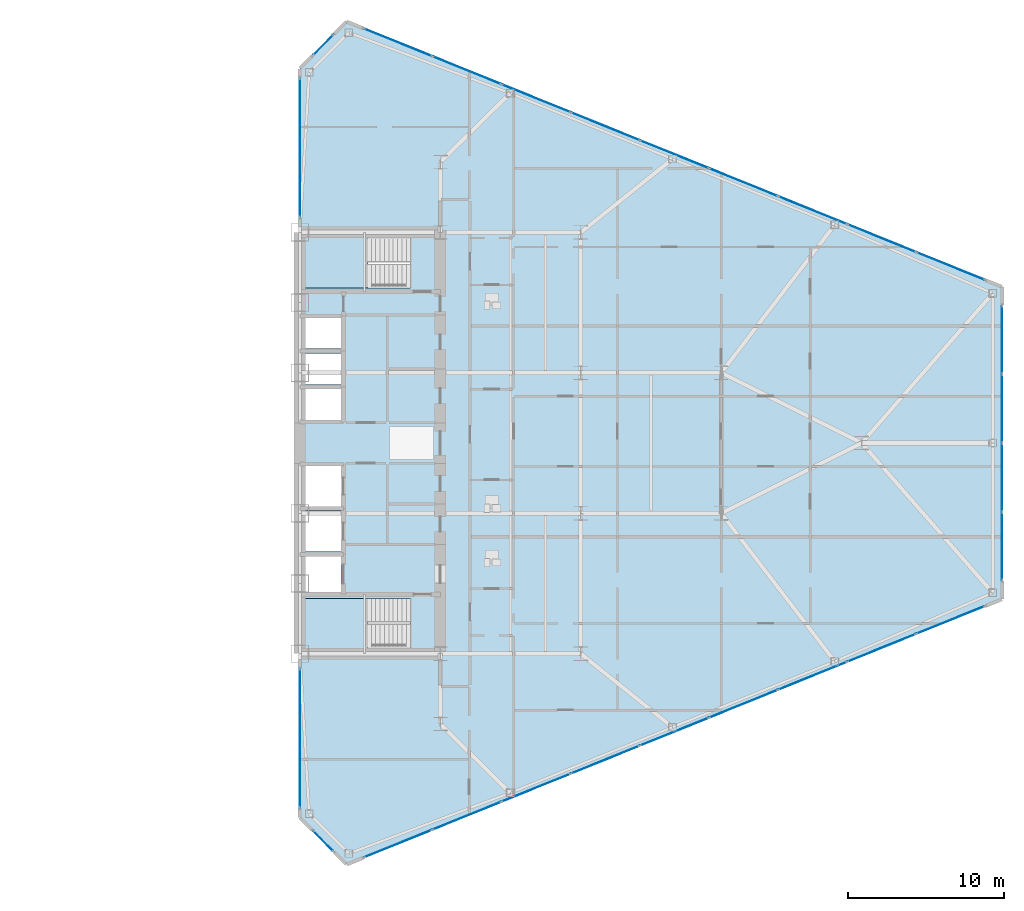
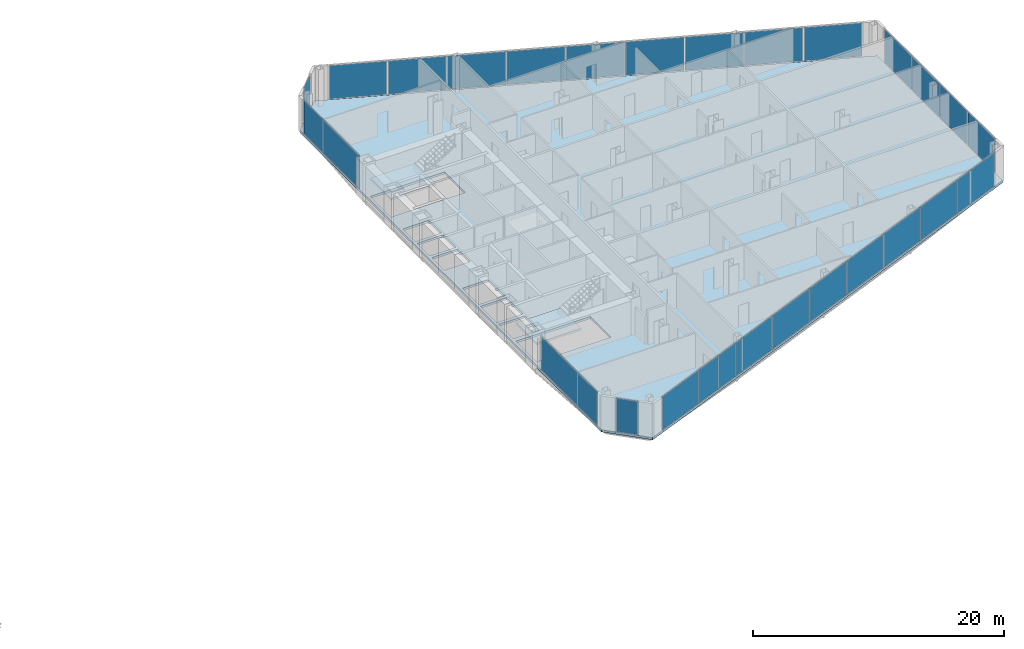
# One storey, part 16 of 25: 26 plates, 3 slabs, 9 elements without a shape of their own.
"""IFC4 building model written with IfcOpenShell, lengths in metres."""

from ifc_helpers import new_model, si_unit, direction, frame, origin, origin_2d, place, context, subcontext, project, spatial, polyline, rectangle, outline, extrude, source, transform, mapped, material, layer, layer_set, type_object, type_shapes, element, aggregate, save


model = new_model("IFC4")

# Units and contexts
model_context = context("Model", 3, precision=1e-05, world=origin(), true_north=direction((0.0, 1.0)))
body_context = subcontext(model_context, "Body", "Model", "MODEL_VIEW")
ifc_project = project(units=[si_unit("LENGTHUNIT", "METRE"), si_unit("AREAUNIT", "SQUARE_METRE"), si_unit("VOLUMEUNIT", "CUBIC_METRE"), si_unit("PLANEANGLEUNIT", "RADIAN"), si_unit("MASSUNIT", "GRAM", prefix="KILO")], contexts=[model_context])

# Site, building, storey
site_placement = place(None, origin())
site = spatial("IfcSite", under=ifc_project, at=site_placement, CompositionType="ELEMENT")
building_placement = place(site_placement, origin())
building = spatial("IfcBuilding", under=site, at=building_placement, Name="Seokmaru Belvedere", CompositionType="ELEMENT")
storey_placement = place(building_placement, frame((0.0, 0.0, 26.10009765625)))
storey = spatial("IfcBuildingStorey", under=building, at=storey_placement, Name="L06", CompositionType="ELEMENT", Elevation=26.10009765625)

# Stair, slab
ifc_material_1 = material(Name="Concrete C40 (40 MPa)", Category="concrete")
stair_type = type_object("IfcStairType", Name="Typical Tower Core Dog-Leg Stair 3600", PredefinedType="TWO_STRAIGHT_RUN_STAIR", material=ifc_material_1)
stair_1_placement = place(storey_placement, origin())
stair_1 = element("IfcStair", 1, at=stair_1_placement, inside=storey, type_object=stair_type, Name="L06 Special Escape Stair ST-E1", PredefinedType="TWO_STRAIGHT_RUN_STAIR")
ifc_layer_1 = layer(ifc_material_1, 0.199951171875)
ifc_layer_set_1 = layer_set([ifc_layer_1], Name="Concrete C40 (40 MPa)")
slab_type_1 = type_object("IfcSlabType", Name="Reinforced Concrete Stair Landing Slab 200", PredefinedType="LANDING", material=ifc_layer_set_1)
slab_1_placement = place(storey_placement, frame((0.0, 0.0, 1.599853515625)))
slab_1 = element("IfcSlab", 2, at=slab_1_placement, type_object=slab_type_1, Name="ST-E1 landing 1", PredefinedType="LANDING", context=body_context, shape_type="SweptSolid", body=[
    extrude(outline(polyline([(27.760009765625, -13.239990234375), (31.8798828125, -13.239990234375), (31.8798828125, -9.949951171875), (27.760009765625, -9.949951171875), (27.760009765625, -13.239990234375)])), origin(), (0.0, 0.0, 1.0), 0.199951171875),
])
aggregate(stair_1, [slab_1])

stair_2_placement = place(storey_placement, origin())
stair_2 = element("IfcStair", 3, at=stair_2_placement, inside=storey, type_object=stair_type, Name="L06 Special Escape Stair ST-E2", PredefinedType="TWO_STRAIGHT_RUN_STAIR")
slab_2_placement = place(storey_placement, frame((0.0, 0.0, 1.599853515625)))
slab_2 = element("IfcSlab", 4, at=slab_2_placement, type_object=slab_type_1, Name="ST-E2 landing 1", PredefinedType="LANDING", context=body_context, shape_type="SweptSolid", body=[
    extrude(outline(polyline([(27.760009765625, 9.949951171875), (31.8798828125, 9.949951171875), (31.8798828125, 13.239990234375), (27.760009765625, 13.239990234375), (27.760009765625, 9.949951171875)])), origin(), (0.0, 0.0, 1.0), 0.199951171875),
])
aggregate(stair_2, [slab_2])

# Slab
ifc_layer_2 = layer(ifc_material_1, 0.219970703125)
ifc_layer_set_2 = layer_set([ifc_layer_2], Name="Concrete C40 (40 MPa)")
slab_type_2 = type_object("IfcSlabType", Name="Typical Tower Composite Floor Slab 220", PredefinedType="FLOOR", material=ifc_layer_set_2)
slab_3_placement = place(storey_placement, frame((0.0, 0.0, -0.22021484375)))
element("IfcSlab", 5, at=slab_3_placement, inside=storey, type_object=slab_type_2, Name="L06 East Leg Floor Slab", PredefinedType="FLOOR", context=body_context, shape_type="SweptSolid", body=[
    extrude(outline(polyline([(30.5, -27.0), (72.5, -10.0), (72.5, 10.0), (30.5, 27.0), (27.5, 24.0), (27.5, -24.0), (30.5, -27.0)]), holes=[polyline([(27.75, -13.25), (34.60009765625, -13.25), (34.60009765625, -9.949951171875), (27.75, -9.949951171875), (27.75, -13.25)]), polyline([(27.75, 9.949951171875), (34.60009765625, 9.949951171875), (34.60009765625, 13.25), (27.75, 13.25), (27.75, 9.949951171875)]), polyline([(27.75, -9.550048828125), (30.14990234375, -9.550048828125), (30.14990234375, -7.25), (27.75, -7.25), (27.75, -9.550048828125)]), polyline([(27.75, -6.949951171875), (30.14990234375, -6.949951171875), (30.14990234375, -4.35009765625), (27.75, -4.35009765625), (27.75, -6.949951171875)]), polyline([(27.75, -4.050048828125), (30.14990234375, -4.050048828125), (30.14990234375, -1.449951171875), (27.75, -1.449951171875), (27.75, -4.050048828125)]), polyline([(27.75, 1.449951171875), (30.14990234375, 1.449951171875), (30.14990234375, 3.449951171875), (27.75, 3.449951171875), (27.75, 1.449951171875)]), polyline([(27.75, 3.75), (30.14990234375, 3.75), (30.14990234375, 5.75), (27.75, 5.75), (27.75, 3.75)]), polyline([(27.75, 6.050048828125), (30.14990234375, 6.050048828125), (30.14990234375, 8.050048828125), (27.75, 8.050048828125), (27.75, 6.050048828125)])]), origin(), (0.0, 0.0, 1.0), 0.22021484375),
])

# Curtain wall, plate
ifc_material_2 = material(Name="Bronze Triple Insulating Glass", Category="glass")
ifc_layer_3 = layer(ifc_material_2, 0.2099609375)
ifc_layer_set_3 = layer_set([ifc_layer_3], Name="Bronze Triple Insulating Glass")
curtain_wall_type = type_object("IfcCurtainWallType", Name="Low-Rise Faceted Crystal Curtain Wall System CW-2", PredefinedType="NOTDEFINED", material=ifc_layer_set_3)
curtain_wall_1_placement = place(storey_placement, origin())
curtain_wall_1 = element("IfcCurtainWall", 6, at=curtain_wall_1_placement, inside=storey, type_object=curtain_wall_type, Name="L06 Curtain Wall ESP_1", PredefinedType="NOTDEFINED")
ifc_layer_4 = layer(ifc_material_2, 0.035888671875)
ifc_layer_set_4 = layer_set([ifc_layer_4], Name="Bronze Triple Insulating Glass")
plate_type = type_object("IfcPlateType", Name="Bronze Triple Vision Glazing Panel 36", PredefinedType="CURTAIN_PANEL", material=ifc_layer_set_4)
shared_shape_1 = source(origin(), body_context, "Body", "SweptSolid", [
    extrude(rectangle(XDim=8.85009765625, YDim=0.035888671875, at=origin_2d()), origin(), (0.0, 0.0, 1.0), 3.239990234375),
])
plate_1_placement = place(storey_placement, frame((27.5, -18.929931640625, 0.06982421875), z_axis=(0.0, 0.0, 1.0), x_axis=(0.0, -1.0, 0.0)))
plate_1 = element("IfcPlate", 7, at=plate_1_placement, type_object=plate_type, Name="CW:L06:ESP_1 Glazing Panel 1-1", PredefinedType="CURTAIN_PANEL", context=body_context, shape_type="MappedRepresentation", body=[
    mapped(shared_shape_1, transform((0.0, 0.0, 0.0), scale=1.0)),
])
aggregate(curtain_wall_1, [plate_1])

curtain_wall_2_placement = place(storey_placement, origin())
curtain_wall_2 = element("IfcCurtainWall", 8, at=curtain_wall_2_placement, inside=storey, type_object=curtain_wall_type, Name="L06 Curtain Wall ESP_2", PredefinedType="NOTDEFINED")
plate_2_placement = place(storey_placement, frame((27.5, 18.929931640625, 0.06982421875), z_axis=(0.0, 0.0, 1.0), x_axis=(0.0, -1.0, 0.0)))
plate_2 = element("IfcPlate", 9, at=plate_2_placement, type_object=plate_type, Name="CW:L06:ESP_2 Glazing Panel 1-1", PredefinedType="CURTAIN_PANEL", context=body_context, shape_type="MappedRepresentation", body=[
    mapped(shared_shape_1, transform((0.0, 0.0, 0.0), scale=1.0)),
])
aggregate(curtain_wall_2, [plate_2])

curtain_wall_3_placement = place(storey_placement, origin())
curtain_wall_3 = element("IfcCurtainWall", 10, at=curtain_wall_3_placement, inside=storey, type_object=curtain_wall_type, Name="L06 Curtain Wall EF4", PredefinedType="NOTDEFINED")
shared_shape_2 = source(origin(), body_context, "Body", "SweptSolid", [
    extrude(rectangle(XDim=1.79248046875, YDim=0.035888671875, at=origin_2d()), origin(), (0.0, 0.0, 1.0), 3.239990234375),
])
plate_3_placement = place(storey_placement, frame((29.0, 25.5, 0.06982421875), z_axis=(0.0, 0.0, 1.0), x_axis=(-0.707106781187, -0.707106781187, 0.0)))
plate_3 = element("IfcPlate", 11, at=plate_3_placement, type_object=plate_type, Name="CW:L06:EF4 Glazing Panel 1-1", PredefinedType="CURTAIN_PANEL", context=body_context, shape_type="MappedRepresentation", body=[
    mapped(shared_shape_2, transform((0.0, 0.0, 0.0), scale=1.0)),
])
aggregate(curtain_wall_3, [plate_3])

curtain_wall_4_placement = place(storey_placement, origin())
curtain_wall_4 = element("IfcCurtainWall", 12, at=curtain_wall_4_placement, inside=storey, type_object=curtain_wall_type, Name="L06 Curtain Wall EF6", PredefinedType="NOTDEFINED")
plate_4_placement = place(storey_placement, frame((29.0, -25.5, 0.06982421875), z_axis=(0.0, 0.0, 1.0), x_axis=(0.707106781187, -0.707106781187, 0.0)))
plate_4 = element("IfcPlate", 13, at=plate_4_placement, type_object=plate_type, Name="CW:L06:EF6 Glazing Panel 1-1", PredefinedType="CURTAIN_PANEL", context=body_context, shape_type="MappedRepresentation", body=[
    mapped(shared_shape_2, transform((0.0, 0.0, 0.0), scale=1.0)),
])
aggregate(curtain_wall_4, [plate_4])

# Curtain wall, plates
curtain_wall_5_placement = place(storey_placement, origin())
curtain_wall_5 = element("IfcCurtainWall", 14, at=curtain_wall_5_placement, inside=storey, type_object=curtain_wall_type, Name="L06 Curtain Wall EF1", PredefinedType="NOTDEFINED")
shared_shape_3 = source(origin(), body_context, "Body", "SweptSolid", [
    extrude(rectangle(XDim=4.66650390625, YDim=0.035888671875, at=origin_2d()), origin(), (0.0, 0.0, 1.0), 3.239990234375),
])
plate_5_placement = place(storey_placement, frame((33.79833984375, -25.6650390625, 0.06982421875), z_axis=(0.0, 0.0, 1.0), x_axis=(0.926946989637, 0.375192321888, 0.0)))
plate_5 = element("IfcPlate", 15, at=plate_5_placement, type_object=plate_type, Name="CW:L06:EF1 Glazing Panel 1-1", PredefinedType="CURTAIN_PANEL", context=body_context, shape_type="MappedRepresentation", body=[
    mapped(shared_shape_3, transform((0.0, 0.0, 0.0), scale=1.0)),
])
plate_6_placement = place(storey_placement, frame((69.20166015625, -11.3349609375, 0.06982421875), z_axis=(0.0, 0.0, 1.0), x_axis=(0.926946989637, 0.375192321888, 0.0)))
plate_6 = element("IfcPlate", 16, at=plate_6_placement, type_object=plate_type, Name="CW:L06:EF1 Glazing Panel 9-1", PredefinedType="CURTAIN_PANEL", context=body_context, shape_type="MappedRepresentation", body=[
    mapped(shared_shape_3, transform((0.0, 0.0, 0.0), scale=1.0)),
])

curtain_wall_6_placement = place(storey_placement, origin())
curtain_wall_6 = element("IfcCurtainWall", 17, at=curtain_wall_6_placement, inside=storey, type_object=curtain_wall_type, Name="L06 Curtain Wall EF3", PredefinedType="NOTDEFINED")
plate_7_placement = place(storey_placement, frame((69.20166015625, 11.3349609375, 0.06982421875), z_axis=(0.0, 0.0, 1.0), x_axis=(-0.926946989637, 0.375192321888, 0.0)))
plate_7 = element("IfcPlate", 18, at=plate_7_placement, type_object=plate_type, Name="CW:L06:EF3 Glazing Panel 1-1", PredefinedType="CURTAIN_PANEL", context=body_context, shape_type="MappedRepresentation", body=[
    mapped(shared_shape_3, transform((0.0, 0.0, 0.0), scale=1.0)),
])
plate_8_placement = place(storey_placement, frame((33.79833984375, 25.6650390625, 0.06982421875), z_axis=(0.0, 0.0, 1.0), x_axis=(-0.926946989637, 0.375192321888, 0.0)))
plate_8 = element("IfcPlate", 19, at=plate_8_placement, type_object=plate_type, Name="CW:L06:EF3 Glazing Panel 9-1", PredefinedType="CURTAIN_PANEL", context=body_context, shape_type="MappedRepresentation", body=[
    mapped(shared_shape_3, transform((0.0, 0.0, 0.0), scale=1.0)),
])

# Plate
shared_shape_4 = source(origin(), body_context, "Body", "SweptSolid", [
    extrude(rectangle(XDim=4.703857421875, YDim=0.035888671875, at=origin_2d()), origin(), (0.0, 0.0, 1.0), 3.239990234375),
])
plate_9_placement = place(storey_placement, frame((38.210693359375, -23.87890625, 0.06982421875), z_axis=(0.0, 0.0, 1.0), x_axis=(0.926946989637, 0.375192321888, 0.0)))
plate_9 = element("IfcPlate", 20, at=plate_9_placement, type_object=plate_type, Name="CW:L06:EF1 Glazing Panel 2-1", PredefinedType="CURTAIN_PANEL", context=body_context, shape_type="MappedRepresentation", body=[
    mapped(shared_shape_4, transform((0.0, 0.0, 0.0), scale=1.0)),
])

plate_10_placement = place(storey_placement, frame((42.640380859375, -22.0859375, 0.06982421875), z_axis=(0.0, 0.0, 1.0), x_axis=(0.926946989637, 0.375192321888, 0.0)))
plate_10 = element("IfcPlate", 21, at=plate_10_placement, type_object=plate_type, Name="CW:L06:EF1 Glazing Panel 3-1", PredefinedType="CURTAIN_PANEL", context=body_context, shape_type="MappedRepresentation", body=[
    mapped(shared_shape_4, transform((0.0, 0.0, 0.0), scale=1.0)),
])

plate_11_placement = place(storey_placement, frame((47.0703125, -20.29296875, 0.06982421875), z_axis=(0.0, 0.0, 1.0), x_axis=(0.926946989637, 0.375192321888, 0.0)))
plate_11 = element("IfcPlate", 22, at=plate_11_placement, type_object=plate_type, Name="CW:L06:EF1 Glazing Panel 4-1", PredefinedType="CURTAIN_PANEL", context=body_context, shape_type="MappedRepresentation", body=[
    mapped(shared_shape_4, transform((0.0, 0.0, 0.0), scale=1.0)),
])

plate_12_placement = place(storey_placement, frame((51.5, -18.5, 0.06982421875), z_axis=(0.0, 0.0, 1.0), x_axis=(0.926946989637, 0.375192321888, 0.0)))
plate_12 = element("IfcPlate", 23, at=plate_12_placement, type_object=plate_type, Name="CW:L06:EF1 Glazing Panel 5-1", PredefinedType="CURTAIN_PANEL", context=body_context, shape_type="MappedRepresentation", body=[
    mapped(shared_shape_4, transform((0.0, 0.0, 0.0), scale=1.0)),
])

plate_13_placement = place(storey_placement, frame((55.9296875, -16.70703125, 0.06982421875), z_axis=(0.0, 0.0, 1.0), x_axis=(0.926946989637, 0.375192321888, 0.0)))
plate_13 = element("IfcPlate", 24, at=plate_13_placement, type_object=plate_type, Name="CW:L06:EF1 Glazing Panel 6-1", PredefinedType="CURTAIN_PANEL", context=body_context, shape_type="MappedRepresentation", body=[
    mapped(shared_shape_4, transform((0.0, 0.0, 0.0), scale=1.0)),
])

plate_14_placement = place(storey_placement, frame((60.359619140625, -14.9140625, 0.06982421875), z_axis=(0.0, 0.0, 1.0), x_axis=(0.926946989637, 0.375192321888, 0.0)))
plate_14 = element("IfcPlate", 25, at=plate_14_placement, type_object=plate_type, Name="CW:L06:EF1 Glazing Panel 7-1", PredefinedType="CURTAIN_PANEL", context=body_context, shape_type="MappedRepresentation", body=[
    mapped(shared_shape_4, transform((0.0, 0.0, 0.0), scale=1.0)),
])

plate_15_placement = place(storey_placement, frame((64.789306640625, -13.12109375, 0.06982421875), z_axis=(0.0, 0.0, 1.0), x_axis=(0.926946989637, 0.375192321888, 0.0)))
plate_15 = element("IfcPlate", 26, at=plate_15_placement, type_object=plate_type, Name="CW:L06:EF1 Glazing Panel 8-1", PredefinedType="CURTAIN_PANEL", context=body_context, shape_type="MappedRepresentation", body=[
    mapped(shared_shape_4, transform((0.0, 0.0, 0.0), scale=1.0)),
])

aggregate(curtain_wall_5, [plate_5, plate_9, plate_10, plate_11, plate_12, plate_13, plate_14, plate_15, plate_6])

plate_16_placement = place(storey_placement, frame((64.789306640625, 13.12109375, 0.06982421875), z_axis=(0.0, 0.0, 1.0), x_axis=(-0.926946989637, 0.375192321888, 0.0)))
plate_16 = element("IfcPlate", 27, at=plate_16_placement, type_object=plate_type, Name="CW:L06:EF3 Glazing Panel 2-1", PredefinedType="CURTAIN_PANEL", context=body_context, shape_type="MappedRepresentation", body=[
    mapped(shared_shape_4, transform((0.0, 0.0, 0.0), scale=1.0)),
])

plate_17_placement = place(storey_placement, frame((60.359619140625, 14.9140625, 0.06982421875), z_axis=(0.0, 0.0, 1.0), x_axis=(-0.926946989637, 0.375192321888, 0.0)))
plate_17 = element("IfcPlate", 28, at=plate_17_placement, type_object=plate_type, Name="CW:L06:EF3 Glazing Panel 3-1", PredefinedType="CURTAIN_PANEL", context=body_context, shape_type="MappedRepresentation", body=[
    mapped(shared_shape_4, transform((0.0, 0.0, 0.0), scale=1.0)),
])

plate_18_placement = place(storey_placement, frame((55.9296875, 16.70703125, 0.06982421875), z_axis=(0.0, 0.0, 1.0), x_axis=(-0.926946989637, 0.375192321888, 0.0)))
plate_18 = element("IfcPlate", 29, at=plate_18_placement, type_object=plate_type, Name="CW:L06:EF3 Glazing Panel 4-1", PredefinedType="CURTAIN_PANEL", context=body_context, shape_type="MappedRepresentation", body=[
    mapped(shared_shape_4, transform((0.0, 0.0, 0.0), scale=1.0)),
])

plate_19_placement = place(storey_placement, frame((51.5, 18.5, 0.06982421875), z_axis=(0.0, 0.0, 1.0), x_axis=(-0.926946989637, 0.375192321888, 0.0)))
plate_19 = element("IfcPlate", 30, at=plate_19_placement, type_object=plate_type, Name="CW:L06:EF3 Glazing Panel 5-1", PredefinedType="CURTAIN_PANEL", context=body_context, shape_type="MappedRepresentation", body=[
    mapped(shared_shape_4, transform((0.0, 0.0, 0.0), scale=1.0)),
])

plate_20_placement = place(storey_placement, frame((47.0703125, 20.29296875, 0.06982421875), z_axis=(0.0, 0.0, 1.0), x_axis=(-0.926946989637, 0.375192321888, 0.0)))
plate_20 = element("IfcPlate", 31, at=plate_20_placement, type_object=plate_type, Name="CW:L06:EF3 Glazing Panel 6-1", PredefinedType="CURTAIN_PANEL", context=body_context, shape_type="MappedRepresentation", body=[
    mapped(shared_shape_4, transform((0.0, 0.0, 0.0), scale=1.0)),
])

plate_21_placement = place(storey_placement, frame((42.640380859375, 22.0859375, 0.06982421875), z_axis=(0.0, 0.0, 1.0), x_axis=(-0.926946989637, 0.375192321888, 0.0)))
plate_21 = element("IfcPlate", 32, at=plate_21_placement, type_object=plate_type, Name="CW:L06:EF3 Glazing Panel 7-1", PredefinedType="CURTAIN_PANEL", context=body_context, shape_type="MappedRepresentation", body=[
    mapped(shared_shape_4, transform((0.0, 0.0, 0.0), scale=1.0)),
])

plate_22_placement = place(storey_placement, frame((38.210693359375, 23.87890625, 0.06982421875), z_axis=(0.0, 0.0, 1.0), x_axis=(-0.926946989637, 0.375192321888, 0.0)))
plate_22 = element("IfcPlate", 33, at=plate_22_placement, type_object=plate_type, Name="CW:L06:EF3 Glazing Panel 8-1", PredefinedType="CURTAIN_PANEL", context=body_context, shape_type="MappedRepresentation", body=[
    mapped(shared_shape_4, transform((0.0, 0.0, 0.0), scale=1.0)),
])

aggregate(curtain_wall_6, [plate_7, plate_16, plate_17, plate_18, plate_19, plate_20, plate_21, plate_22, plate_8])

# Curtain wall, plates
curtain_wall_7_placement = place(storey_placement, origin())
curtain_wall_7 = element("IfcCurtainWall", 34, at=curtain_wall_7_placement, inside=storey, type_object=curtain_wall_type, Name="L06 Curtain Wall EF2", PredefinedType="NOTDEFINED")
shared_shape_5 = source(origin(), body_context, "Body", "SweptSolid", [
    extrude(rectangle(XDim=4.3125, YDim=0.035888671875, at=origin_2d()), origin(), (0.0, 0.0, 1.0), 3.239990234375),
])
plate_23_placement = place(storey_placement, frame((72.5, -6.61865234375, 0.06982421875), z_axis=(0.0, 0.0, 1.0), x_axis=(0.0, 1.0, 0.0)))
plate_23 = element("IfcPlate", 35, at=plate_23_placement, type_object=plate_type, Name="CW:L06:EF2 Glazing Panel 1-1", PredefinedType="CURTAIN_PANEL", context=body_context, shape_type="MappedRepresentation", body=[
    mapped(shared_shape_5, transform((0.0, 0.0, 0.0), scale=1.0)),
])
plate_24_placement = place(storey_placement, frame((72.5, 6.61865234375, 0.06982421875), z_axis=(0.0, 0.0, 1.0), x_axis=(0.0, 1.0, 0.0)))
plate_24 = element("IfcPlate", 36, at=plate_24_placement, type_object=plate_type, Name="CW:L06:EF2 Glazing Panel 4-1", PredefinedType="CURTAIN_PANEL", context=body_context, shape_type="MappedRepresentation", body=[
    mapped(shared_shape_5, transform((0.0, 0.0, 0.0), scale=1.0)),
])
shared_shape_6 = source(origin(), body_context, "Body", "SweptSolid", [
    extrude(rectangle(XDim=4.35009765625, YDim=0.035888671875, at=origin_2d()), origin(), (0.0, 0.0, 1.0), 3.239990234375),
])
type_shapes(plate_type, [shared_shape_1, shared_shape_2, shared_shape_3, shared_shape_4, shared_shape_5, shared_shape_6])
plate_25_placement = place(storey_placement, frame((72.5, -2.21240234375, 0.06982421875), z_axis=(0.0, 0.0, 1.0), x_axis=(0.0, 1.0, 0.0)))
plate_25 = element("IfcPlate", 37, at=plate_25_placement, type_object=plate_type, Name="CW:L06:EF2 Glazing Panel 2-1", PredefinedType="CURTAIN_PANEL", context=body_context, shape_type="MappedRepresentation", body=[
    mapped(shared_shape_6, transform((0.0, 0.0, 0.0), scale=1.0)),
])
plate_26_placement = place(storey_placement, frame((72.5, 2.21240234375, 0.06982421875), z_axis=(0.0, 0.0, 1.0), x_axis=(0.0, 1.0, 0.0)))
plate_26 = element("IfcPlate", 38, at=plate_26_placement, type_object=plate_type, Name="CW:L06:EF2 Glazing Panel 3-1", PredefinedType="CURTAIN_PANEL", context=body_context, shape_type="MappedRepresentation", body=[
    mapped(shared_shape_6, transform((0.0, 0.0, 0.0), scale=1.0)),
])
aggregate(curtain_wall_7, [plate_23, plate_25, plate_26, plate_24])

save(model, "model.ifc")
